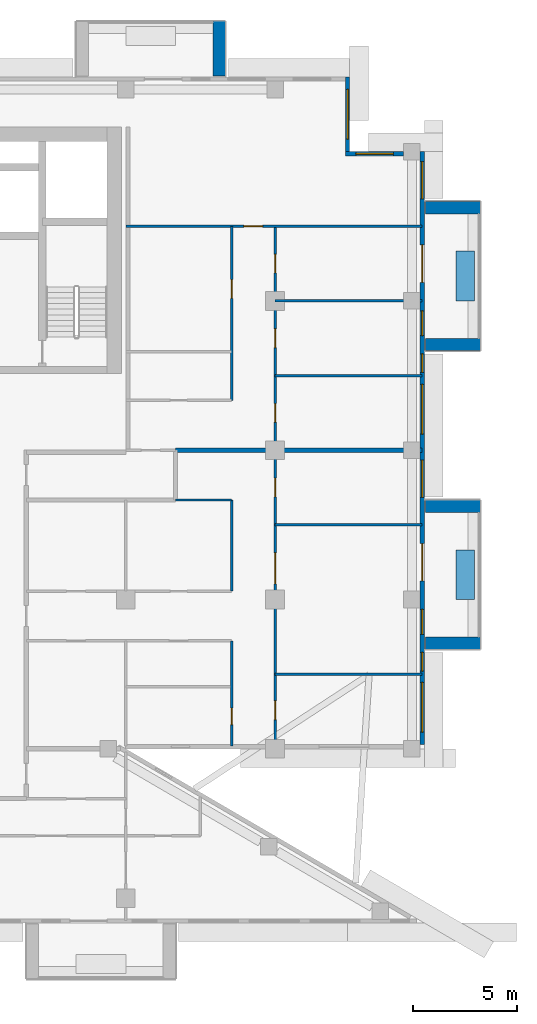
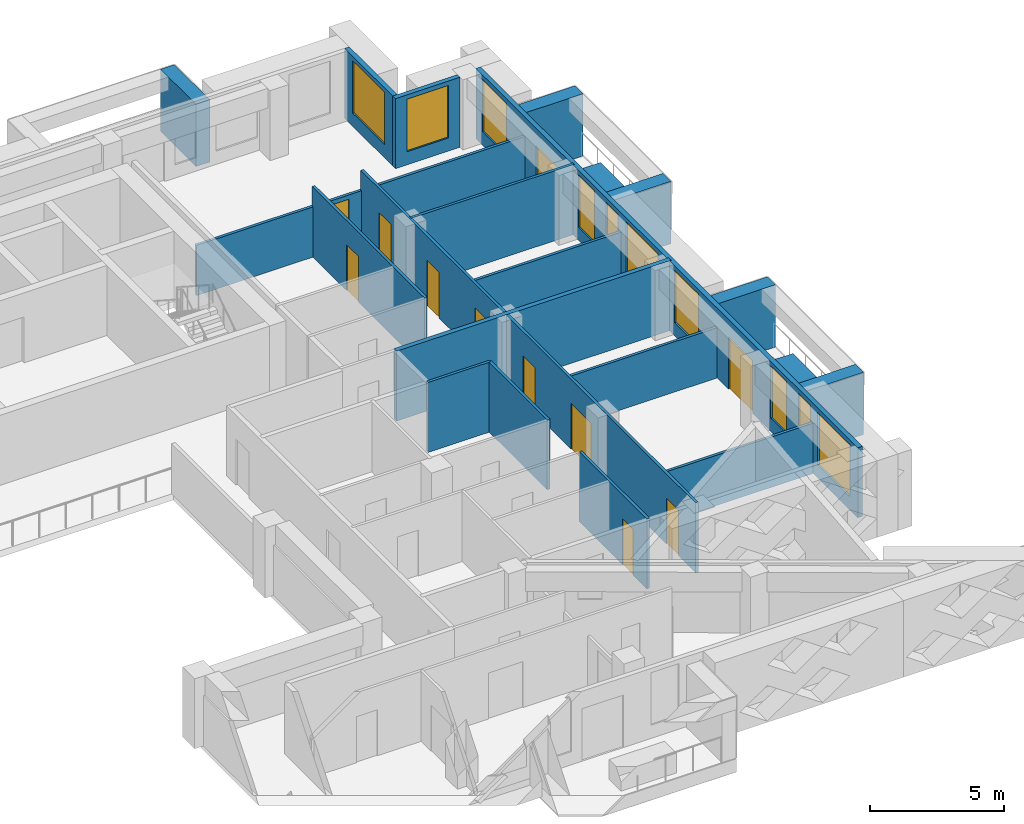
# One storey, part 12 of 20: 21 walls, 11 doors, 10 windows, 21 openings.
"""IFC4 building model written with IfcOpenShell, lengths in metres."""

from ifc_helpers import new_model, si_unit, direction, frame, frame_2d, origin, place, context, subcontext, project, spatial, rectangle, extrude, material, layer, layer_set, type_object, element, fill, save


model = new_model("IFC4")

# Units and contexts
model_context = context("Model", 3, precision=1e-05, world=origin(), true_north=direction((0.0, 1.0)))
body_context = subcontext(model_context, "Body", "Model", "MODEL_VIEW")
ifc_project = project(units=[si_unit("LENGTHUNIT", "METRE"), si_unit("AREAUNIT", "SQUARE_METRE"), si_unit("VOLUMEUNIT", "CUBIC_METRE"), si_unit("PLANEANGLEUNIT", "RADIAN"), si_unit("MASSUNIT", "GRAM", prefix="KILO")], contexts=[model_context])

# Site, building, storey
site_placement = place(None, origin())
site = spatial("IfcSite", under=ifc_project, at=site_placement, CompositionType="ELEMENT")
building_placement = place(site_placement, origin())
building = spatial("IfcBuilding", under=site, at=building_placement, Name="Saffron Iwan Residences", CompositionType="ELEMENT")
storey_placement = place(building_placement, frame((0.0, 0.0, 185.0)))
storey = spatial("IfcBuildingStorey", under=building, at=storey_placement, Name="L49", CompositionType="ELEMENT", Elevation=185.0)

# Walls
ifc_material_1 = material(Name="Concrete C50/60 white painted", Category="concrete")
ifc_layer_1 = layer(ifc_material_1, 0.60009765625)
ifc_layer_set_1 = layer_set([ifc_layer_1], Name="Concrete C50/60 white painted")
wall_type_1 = type_object("IfcWallType", Name="BALCONY FIN 600", PredefinedType="SOLIDWALL", material=ifc_layer_set_1)
for number, where, z_axis, x_axis, name in (
    (1, (86.449951171875, 53.10009765625, 0.0), (0.0, 0.0, 1.0), (1.0, 0.0, 0.0), "Balcony fin L49 F2-0a"),
    (2, (86.449951171875, 59.699951171875, 0.0), (0.0, 0.0, 1.0), (1.0, 0.0, 0.0), "Balcony fin L49 F2-0b"),
    (3, (86.449951171875, 67.5, 0.0), (0.0, 0.0, 1.0), (1.0, 0.0, 0.0), "Balcony fin L49 F2-1a"),
    (4, (86.449951171875, 74.10009765625, 0.0), (0.0, 0.0, 1.0), (1.0, 0.0, 0.0), "Balcony fin L49 F2-1b"),
    (5, (76.5, 80.449951171875, 0.0), (0.0, 0.0, 1.0), (0.0, 1.0, 0.0), "Balcony fin L49 F5-0a"),
):
    element("IfcWall", number, at=place(storey_placement, frame(where, z_axis=z_axis, x_axis=x_axis)), inside=storey, type_object=wall_type_1, Name=name, PredefinedType="SOLIDWALL", context=body_context, shape_type="SweptSolid", body=[
        extrude(rectangle(XDim=2.650146484375, YDim=0.60009765625, at=frame_2d((1.3251953125, 0.0))), origin(), (0.0, 0.0, 1.0), 2.85009765625),
    ])
ifc_material_2 = material(Name="Concrete C35/45 white painted", Category="concrete")
ifc_layer_2 = layer(ifc_material_2, 0.14990234375)
ifc_layer_set_2 = layer_set([ifc_layer_2], Name="Concrete C35/45 white painted")
wall_type_2 = type_object("IfcWallType", Name="BALCONY PLANTER", PredefinedType="SOLIDWALL", material=ifc_layer_set_2)
wall_1_placement = place(storey_placement, frame((88.375, 55.199951171875, 0.0), z_axis=(0.0, 0.0, 1.0), x_axis=(0.0, 1.0, 0.0)))
element("IfcWall", 6, at=wall_1_placement, inside=storey, type_object=wall_type_2, Name="PLANTER L49 F2-0", PredefinedType="SOLIDWALL", context=body_context, shape_type="SweptSolid", body=[
    extrude(rectangle(XDim=2.400146484375, YDim=0.89990234375, at=frame_2d((1.2001953125, 0.0))), origin(), (0.0, 0.0, 1.0), 0.89990234375),
])
wall_2_placement = place(storey_placement, frame((88.375, 69.60009765625, 0.0), z_axis=(0.0, 0.0, 1.0), x_axis=(0.0, 1.0, 0.0)))
element("IfcWall", 7, at=wall_2_placement, inside=storey, type_object=wall_type_2, Name="PLANTER L49 F2-1", PredefinedType="SOLIDWALL", context=body_context, shape_type="SweptSolid", body=[
    extrude(rectangle(XDim=2.39990234375, YDim=0.89990234375, at=frame_2d((1.199951171875, 0.0))), origin(), (0.0, 0.0, 1.0), 0.89990234375),
])

# Wall, openings, doors, windows
ifc_material_3 = material(Name="Concrete C40/50", Category="concrete")
ifc_layer_3 = layer(ifc_material_3, 0.199951171875)
ifc_layer_set_3 = layer_set([ifc_layer_3], Name="Concrete C40/50")
wall_type_3 = type_object("IfcWallType", Name="EXTERNAL WALL 200", PredefinedType="SOLIDWALL", material=ifc_layer_set_3)
wall_3_placement = place(storey_placement, frame((86.300048828125, 48.199951171875, 0.0), z_axis=(0.0, 0.0, 1.0), x_axis=(0.0, 1.0, 0.0)))
wall_3 = element("IfcWall", 8, at=wall_3_placement, inside=storey, type_object=wall_type_3, Name="External wall L49 F2.0", PredefinedType="SOLIDWALL", context=body_context, shape_type="SweptSolid", body=[
    extrude(rectangle(XDim=28.60009765625, YDim=0.199951171875, at=frame_2d((14.300048828125, 0.0))), origin(), (0.0, 0.0, 1.0), 3.199951171875),
])
opening_1_placement = place(wall_3_placement, frame((7.89990234375, 0.0, 0.0)))
opening_1 = element("IfcOpeningElement", 9, at=opening_1_placement, cuts=wall_3, Name="Opening BD1", PredefinedType="OPENING", context=body_context, shape_type="SweptSolid", body=[
    extrude(rectangle(XDim=1.800048828125, YDim=2.39990234375, at=frame_2d((0.89990234375, 1.199951171875))), frame((0.0, 0.10986328125, 0.0), z_axis=(0.0, -1.0, 0.0), x_axis=(1.0, 0.0, 0.0)), (0.0, 0.0, 1.0), 0.219970703125),
])
opening_2_placement = place(wall_3_placement, frame((22.300048828125, 0.0, 0.0)))
opening_2 = element("IfcOpeningElement", 10, at=opening_2_placement, cuts=wall_3, Name="Opening BD1", PredefinedType="OPENING", context=body_context, shape_type="SweptSolid", body=[
    extrude(rectangle(XDim=1.800048828125, YDim=2.39990234375, at=frame_2d((0.89990234375, 1.199951171875))), frame((0.0, 0.10986328125, 0.0), z_axis=(0.0, -1.0, 0.0), x_axis=(1.0, 0.0, 0.0)), (0.0, 0.0, 1.0), 0.219970703125),
])
opening_3_placement = place(wall_3_placement, frame((0.60009765625, 0.0, 0.60009765625)))
opening_3 = element("IfcOpeningElement", 11, at=opening_3_placement, cuts=wall_3, Name="Opening W1", PredefinedType="OPENING", context=body_context, shape_type="SweptSolid", body=[
    extrude(rectangle(XDim=2.39990234375, YDim=2.39990234375, at=frame_2d((1.199951171875, 1.199951171875))), frame((0.0, 0.10986328125, 0.0), z_axis=(0.0, -1.0, 0.0), x_axis=(1.0, 0.0, 0.0)), (0.0, 0.0, 1.0), 0.219970703125),
])
opening_4_placement = place(wall_3_placement, frame((3.550048828125, 0.0, 0.60009765625)))
opening_4 = element("IfcOpeningElement", 12, at=opening_4_placement, cuts=wall_3, Name="Opening W10", PredefinedType="OPENING", context=body_context, shape_type="SweptSolid", body=[
    extrude(rectangle(XDim=0.89990234375, YDim=2.39990234375, at=frame_2d((0.449951171875, 1.199951171875))), frame((0.0, 0.10986328125, 0.0), z_axis=(0.0, -1.0, 0.0), x_axis=(1.0, 0.0, 0.0)), (0.0, 0.0, 1.0), 0.219970703125),
])
opening_5_placement = place(wall_3_placement, frame((5.324951171875, 0.0, 0.60009765625)))
opening_5 = element("IfcOpeningElement", 13, at=opening_5_placement, cuts=wall_3, Name="Opening W3", PredefinedType="OPENING", context=body_context, shape_type="SweptSolid", body=[
    extrude(rectangle(XDim=1.199951171875, YDim=2.39990234375, at=frame_2d((0.60009765625, 1.199951171875))), frame((0.0, 0.10986328125, 0.0), z_axis=(0.0, -1.0, 0.0), x_axis=(1.0, 0.0, 0.0)), (0.0, 0.0, 1.0), 0.219970703125),
])
opening_6_placement = place(wall_3_placement, frame((11.925048828125, 0.0, 0.60009765625)))
opening_6 = element("IfcOpeningElement", 14, at=opening_6_placement, cuts=wall_3, Name="Opening W8", PredefinedType="OPENING", context=body_context, shape_type="SweptSolid", body=[
    extrude(rectangle(XDim=1.800048828125, YDim=2.39990234375, at=frame_2d((0.89990234375, 1.199951171875))), frame((0.0, 0.10986328125, 0.0), z_axis=(0.0, -1.0, 0.0), x_axis=(1.0, 0.0, 0.0)), (0.0, 0.0, 1.0), 0.219970703125),
])
opening_7_placement = place(wall_3_placement, frame((14.97509765625, 0.0, 0.60009765625)))
opening_7 = element("IfcOpeningElement", 15, at=opening_7_placement, cuts=wall_3, Name="Opening W1", PredefinedType="OPENING", context=body_context, shape_type="SweptSolid", body=[
    extrude(rectangle(XDim=2.39990234375, YDim=2.39990234375, at=frame_2d((1.199951171875, 1.199951171875))), frame((0.0, 0.10986328125, 0.0), z_axis=(0.0, -1.0, 0.0), x_axis=(1.0, 0.0, 0.0)), (0.0, 0.0, 1.0), 0.219970703125),
])
opening_8_placement = place(wall_3_placement, frame((17.949951171875, 0.0, 0.60009765625)))
opening_8 = element("IfcOpeningElement", 16, at=opening_8_placement, cuts=wall_3, Name="Opening W10", PredefinedType="OPENING", context=body_context, shape_type="SweptSolid", body=[
    extrude(rectangle(XDim=0.89990234375, YDim=2.39990234375, at=frame_2d((0.449951171875, 1.199951171875))), frame((0.0, 0.10986328125, 0.0), z_axis=(0.0, -1.0, 0.0), x_axis=(1.0, 0.0, 0.0)), (0.0, 0.0, 1.0), 0.219970703125),
])
opening_9_placement = place(wall_3_placement, frame((19.72509765625, 0.0, 0.60009765625)))
opening_9 = element("IfcOpeningElement", 17, at=opening_9_placement, cuts=wall_3, Name="Opening W3", PredefinedType="OPENING", context=body_context, shape_type="SweptSolid", body=[
    extrude(rectangle(XDim=1.199951171875, YDim=2.39990234375, at=frame_2d((0.60009765625, 1.199951171875))), frame((0.0, 0.10986328125, 0.0), z_axis=(0.0, -1.0, 0.0), x_axis=(1.0, 0.0, 0.0)), (0.0, 0.0, 1.0), 0.219970703125),
])
opening_10_placement = place(wall_3_placement, frame((26.324951171875, 0.0, 0.60009765625)))
opening_10 = element("IfcOpeningElement", 18, at=opening_10_placement, cuts=wall_3, Name="Opening W8", PredefinedType="OPENING", context=body_context, shape_type="SweptSolid", body=[
    extrude(rectangle(XDim=1.800048828125, YDim=2.39990234375, at=frame_2d((0.89990234375, 1.199951171875))), frame((0.0, 0.10986328125, 0.0), z_axis=(0.0, -1.0, 0.0), x_axis=(1.0, 0.0, 0.0)), (0.0, 0.0, 1.0), 0.219970703125),
])
ifc_material_4 = material(Name="Clear glass, laminated double glazed", Category="glass")
door_type_1 = type_object("IfcDoorType", Name="BALCONY DOOR 1800 x 2400", OperationType="DOUBLE_DOOR_SLIDING", PredefinedType="DOOR", material=ifc_material_4)
door_1_placement = place(opening_1_placement, origin())
door_1 = element("IfcDoor", 19, at=door_1_placement, inside=storey, type_object=door_type_1, Name="Balcony door L49 F2.0", OperationType="DOUBLE_DOOR_SLIDING", OverallHeight=2.39990234375, OverallWidth=1.800048828125, PredefinedType="DOOR", context=body_context, shape_type="SweptSolid", body=[
    extrude(rectangle(XDim=1.800048828125, YDim=2.39990234375, at=frame_2d((0.89990234375, 1.199951171875))), frame((0.0, 0.02490234375, 0.0), z_axis=(0.0, -1.0, 0.0), x_axis=(1.0, 0.0, 0.0)), (0.0, 0.0, 1.0), 0.050048828125),
])
fill(opening_1, door_1)
door_2_placement = place(opening_2_placement, origin())
door_2 = element("IfcDoor", 20, at=door_2_placement, inside=storey, type_object=door_type_1, Name="Balcony door L49 F2.1", OperationType="DOUBLE_DOOR_SLIDING", OverallHeight=2.39990234375, OverallWidth=1.800048828125, PredefinedType="DOOR", context=body_context, shape_type="SweptSolid", body=[
    extrude(rectangle(XDim=1.800048828125, YDim=2.39990234375, at=frame_2d((0.89990234375, 1.199951171875))), frame((0.0, 0.02490234375, 0.0), z_axis=(0.0, -1.0, 0.0), x_axis=(1.0, 0.0, 0.0)), (0.0, 0.0, 1.0), 0.050048828125),
])
fill(opening_2, door_2)
window_type_1 = type_object("IfcWindowType", Name="WINDOW 1200 x 2400", PartitioningType="SINGLE_PANEL", PredefinedType="WINDOW", material=ifc_material_4)
window_1_placement = place(opening_5_placement, origin())
window_1 = element("IfcWindow", 21, at=window_1_placement, inside=storey, type_object=window_type_1, Name="Window L49 F2.4", OverallHeight=2.39990234375, OverallWidth=1.199951171875, PartitioningType="SINGLE_PANEL", PredefinedType="WINDOW", context=body_context, shape_type="SweptSolid", body=[
    extrude(rectangle(XDim=1.199951171875, YDim=2.39990234375, at=frame_2d((0.60009765625, 1.199951171875))), frame((0.0, 0.030029296875, 0.0), z_axis=(0.0, -1.0, 0.0), x_axis=(1.0, 0.0, 0.0)), (0.0, 0.0, 1.0), 0.06005859375),
])
fill(opening_5, window_1)
window_2_placement = place(opening_9_placement, origin())
window_2 = element("IfcWindow", 22, at=window_2_placement, inside=storey, type_object=window_type_1, Name="Window L49 F2.8", OverallHeight=2.39990234375, OverallWidth=1.199951171875, PartitioningType="SINGLE_PANEL", PredefinedType="WINDOW", context=body_context, shape_type="SweptSolid", body=[
    extrude(rectangle(XDim=1.199951171875, YDim=2.39990234375, at=frame_2d((0.60009765625, 1.199951171875))), frame((0.0, 0.030029296875, 0.0), z_axis=(0.0, -1.0, 0.0), x_axis=(1.0, 0.0, 0.0)), (0.0, 0.0, 1.0), 0.06005859375),
])
fill(opening_9, window_2)
window_type_2 = type_object("IfcWindowType", Name="WINDOW 1800 x 2400", PartitioningType="DOUBLE_PANEL_VERTICAL", PredefinedType="WINDOW", material=ifc_material_4)
window_3_placement = place(opening_6_placement, origin())
window_3 = element("IfcWindow", 23, at=window_3_placement, inside=storey, type_object=window_type_2, Name="Window L49 F2.5", OverallHeight=2.39990234375, OverallWidth=1.800048828125, PartitioningType="DOUBLE_PANEL_VERTICAL", PredefinedType="WINDOW", context=body_context, shape_type="SweptSolid", body=[
    extrude(rectangle(XDim=1.800048828125, YDim=2.39990234375, at=frame_2d((0.89990234375, 1.199951171875))), frame((0.0, 0.030029296875, 0.0), z_axis=(0.0, -1.0, 0.0), x_axis=(1.0, 0.0, 0.0)), (0.0, 0.0, 1.0), 0.06005859375),
])
fill(opening_6, window_3)
window_4_placement = place(opening_10_placement, origin())
window_4 = element("IfcWindow", 24, at=window_4_placement, inside=storey, type_object=window_type_2, Name="Window L49 F2.9", OverallHeight=2.39990234375, OverallWidth=1.800048828125, PartitioningType="DOUBLE_PANEL_VERTICAL", PredefinedType="WINDOW", context=body_context, shape_type="SweptSolid", body=[
    extrude(rectangle(XDim=1.800048828125, YDim=2.39990234375, at=frame_2d((0.89990234375, 1.199951171875))), frame((0.0, 0.030029296875, 0.0), z_axis=(0.0, -1.0, 0.0), x_axis=(1.0, 0.0, 0.0)), (0.0, 0.0, 1.0), 0.06005859375),
])
fill(opening_10, window_4)
window_type_3 = type_object("IfcWindowType", Name="WINDOW 2400 x 2400", PartitioningType="DOUBLE_PANEL_VERTICAL", PredefinedType="WINDOW", material=ifc_material_4)
window_5_placement = place(opening_3_placement, origin())
window_5 = element("IfcWindow", 25, at=window_5_placement, inside=storey, type_object=window_type_3, Name="Window L49 F2.2", OverallHeight=2.39990234375, OverallWidth=2.39990234375, PartitioningType="DOUBLE_PANEL_VERTICAL", PredefinedType="WINDOW", context=body_context, shape_type="SweptSolid", body=[
    extrude(rectangle(XDim=2.39990234375, YDim=2.39990234375, at=frame_2d((1.199951171875, 1.199951171875))), frame((0.0, 0.030029296875, 0.0), z_axis=(0.0, -1.0, 0.0), x_axis=(1.0, 0.0, 0.0)), (0.0, 0.0, 1.0), 0.06005859375),
])
fill(opening_3, window_5)
window_6_placement = place(opening_7_placement, origin())
window_6 = element("IfcWindow", 26, at=window_6_placement, inside=storey, type_object=window_type_3, Name="Window L49 F2.6", OverallHeight=2.39990234375, OverallWidth=2.39990234375, PartitioningType="DOUBLE_PANEL_VERTICAL", PredefinedType="WINDOW", context=body_context, shape_type="SweptSolid", body=[
    extrude(rectangle(XDim=2.39990234375, YDim=2.39990234375, at=frame_2d((1.199951171875, 1.199951171875))), frame((0.0, 0.030029296875, 0.0), z_axis=(0.0, -1.0, 0.0), x_axis=(1.0, 0.0, 0.0)), (0.0, 0.0, 1.0), 0.06005859375),
])
fill(opening_7, window_6)
window_type_4 = type_object("IfcWindowType", Name="WINDOW 900 x 2400", PartitioningType="SINGLE_PANEL", PredefinedType="WINDOW", material=ifc_material_4)
window_7_placement = place(opening_4_placement, origin())
window_7 = element("IfcWindow", 27, at=window_7_placement, inside=storey, type_object=window_type_4, Name="Window L49 F2.3", OverallHeight=2.39990234375, OverallWidth=0.89990234375, PartitioningType="SINGLE_PANEL", PredefinedType="WINDOW", context=body_context, shape_type="SweptSolid", body=[
    extrude(rectangle(XDim=0.89990234375, YDim=2.39990234375, at=frame_2d((0.449951171875, 1.199951171875))), frame((0.0, 0.030029296875, 0.0), z_axis=(0.0, -1.0, 0.0), x_axis=(1.0, 0.0, 0.0)), (0.0, 0.0, 1.0), 0.06005859375),
])
fill(opening_4, window_7)
window_8_placement = place(opening_8_placement, origin())
window_8 = element("IfcWindow", 28, at=window_8_placement, inside=storey, type_object=window_type_4, Name="Window L49 F2.7", OverallHeight=2.39990234375, OverallWidth=0.89990234375, PartitioningType="SINGLE_PANEL", PredefinedType="WINDOW", context=body_context, shape_type="SweptSolid", body=[
    extrude(rectangle(XDim=0.89990234375, YDim=2.39990234375, at=frame_2d((0.449951171875, 1.199951171875))), frame((0.0, 0.030029296875, 0.0), z_axis=(0.0, -1.0, 0.0), x_axis=(1.0, 0.0, 0.0)), (0.0, 0.0, 1.0), 0.06005859375),
])
fill(opening_8, window_8)

# Wall, opening, window
wall_4_placement = place(storey_placement, frame((85.39990234375, 76.699951171875, 0.0), z_axis=(0.0, 0.0, 1.0), x_axis=(-1.0, 0.0, 0.0)))
wall_4 = element("IfcWall", 29, at=wall_4_placement, inside=storey, type_object=wall_type_3, Name="External wall L49 F3.0", PredefinedType="SOLIDWALL", context=body_context, shape_type="SweptSolid", body=[
    extrude(rectangle(XDim=2.7998046875, YDim=0.199951171875, at=frame_2d((1.39990234375, 0.0))), origin(), (0.0, 0.0, 1.0), 3.199951171875),
])
opening_11_placement = place(wall_4_placement, frame((0.5, 0.0, 0.60009765625)))
opening_11 = element("IfcOpeningElement", 30, at=opening_11_placement, cuts=wall_4, Name="Opening W8", PredefinedType="OPENING", context=body_context, shape_type="SweptSolid", body=[
    extrude(rectangle(XDim=1.800048828125, YDim=2.39990234375, at=frame_2d((0.89990234375, 1.199951171875))), frame((0.0, 0.10986328125, 0.0), z_axis=(0.0, -1.0, 0.0), x_axis=(1.0, 0.0, 0.0)), (0.0, 0.0, 1.0), 0.219970703125),
])
window_9_placement = place(opening_11_placement, origin())
window_9 = element("IfcWindow", 31, at=window_9_placement, inside=storey, type_object=window_type_2, Name="Window L49 F3.0", OverallHeight=2.39990234375, OverallWidth=1.800048828125, PartitioningType="DOUBLE_PANEL_VERTICAL", PredefinedType="WINDOW", context=body_context, shape_type="SweptSolid", body=[
    extrude(rectangle(XDim=1.800048828125, YDim=2.39990234375, at=frame_2d((0.89990234375, 1.199951171875))), frame((0.0, 0.030029296875, 0.0), z_axis=(0.0, -1.0, 0.0), x_axis=(1.0, 0.0, 0.0)), (0.0, 0.0, 1.0), 0.06005859375),
])
fill(opening_11, window_9)

wall_5_placement = place(storey_placement, frame((82.699951171875, 76.800048828125, 0.0), z_axis=(0.0, 0.0, 1.0), x_axis=(0.0, 1.0, 0.0)))
wall_5 = element("IfcWall", 32, at=wall_5_placement, inside=storey, type_object=wall_type_3, Name="External wall L49 F4.0", PredefinedType="SOLIDWALL", context=body_context, shape_type="SweptSolid", body=[
    extrude(rectangle(XDim=3.599853515625, YDim=0.199951171875, at=frame_2d((1.7998046875, 0.0))), origin(), (0.0, 0.0, 1.0), 3.199951171875),
])
opening_12_placement = place(wall_5_placement, frame((0.60009765625, 0.0, 0.60009765625)))
opening_12 = element("IfcOpeningElement", 33, at=opening_12_placement, cuts=wall_5, Name="Opening W1", PredefinedType="OPENING", context=body_context, shape_type="SweptSolid", body=[
    extrude(rectangle(XDim=2.39990234375, YDim=2.39990234375, at=frame_2d((1.199951171875, 1.199951171875))), frame((0.0, 0.10986328125, 0.0), z_axis=(0.0, -1.0, 0.0), x_axis=(1.0, 0.0, 0.0)), (0.0, 0.0, 1.0), 0.219970703125),
])
window_10_placement = place(opening_12_placement, origin())
window_10 = element("IfcWindow", 34, at=window_10_placement, inside=storey, type_object=window_type_3, Name="Window L49 F4.0", OverallHeight=2.39990234375, OverallWidth=2.39990234375, PartitioningType="DOUBLE_PANEL_VERTICAL", PredefinedType="WINDOW", context=body_context, shape_type="SweptSolid", body=[
    extrude(rectangle(XDim=2.39990234375, YDim=2.39990234375, at=frame_2d((1.199951171875, 1.199951171875))), frame((0.0, 0.030029296875, 0.0), z_axis=(0.0, -1.0, 0.0), x_axis=(1.0, 0.0, 0.0)), (0.0, 0.0, 1.0), 0.06005859375),
])
fill(opening_12, window_10)

# Walls
ifc_material_5 = material(Name="Fire-rated gypsum board wall")
ifc_layer_4 = layer(ifc_material_5, 0.199951171875)
ifc_layer_set_4 = layer_set([ifc_layer_4], Name="Fire-rated gypsum board wall")
wall_type_4 = type_object("IfcWallType", Name="Flat demising wall 200", PredefinedType="SOLIDWALL", material=ifc_layer_set_4)
wall_6_placement = place(storey_placement, frame((74.39990234375, 62.39990234375, 0.0), z_axis=(0.0, 0.0, 1.0), x_axis=(1.0, 0.0, 0.0)))
element("IfcWall", 35, at=wall_6_placement, inside=storey, type_object=wall_type_4, Name="W-L49-DEMISE-h62.4-74.4", PredefinedType="SOLIDWALL", context=body_context, shape_type="SweptSolid", body=[
    extrude(rectangle(XDim=11.875, YDim=0.199951171875, at=frame_2d((5.9375, 0.0))), origin(), (0.0, 0.0, 1.0), 3.199951171875),
])
ifc_material_6 = material(Name="Gypsum board partition")
ifc_layer_5 = layer(ifc_material_6, 0.1201171875)
ifc_layer_set_5 = layer_set([ifc_layer_5], Name="Gypsum board partition")
wall_type_5 = type_object("IfcWallType", Name="Flat partition 120", PredefinedType="PARTITIONING", material=ifc_layer_set_5)
for number, where, z_axis, x_axis, name in (
    (36, (79.199951171875, 51.60009765625, 0.0), (0.0, 0.0, 1.0), (1.0, 0.0, 0.0), "W-L49-PART-h51.6-79.2"),
    (37, (79.199951171875, 58.800048828125, 0.0), (0.0, 0.0, 1.0), (1.0, 0.0, 0.0), "W-L49-PART-h58.8-79.2"),
):
    element("IfcWall", number, at=place(storey_placement, frame(where, z_axis=z_axis, x_axis=x_axis)), inside=storey, type_object=wall_type_5, Name=name, PredefinedType="PARTITIONING", context=body_context, shape_type="SweptSolid", body=[
        extrude(rectangle(XDim=7.074951171875, YDim=0.1201171875, at=frame_2d((3.53759765625, 0.0))), origin(), (0.0, 0.0, 1.0), 2.300048828125),
    ])
wall_7_placement = place(storey_placement, frame((74.39990234375, 60.0, 0.0), z_axis=(0.0, 0.0, 1.0), x_axis=(1.0, 0.0, 0.0)))
element("IfcWall", 38, at=wall_7_placement, inside=storey, type_object=wall_type_5, Name="W-L49-PART-h60-74.4", PredefinedType="PARTITIONING", context=body_context, shape_type="SweptSolid", body=[
    extrude(rectangle(XDim=2.7001953125, YDim=0.1201171875, at=frame_2d((1.35009765625, 0.0))), origin(), (0.0, 0.0, 1.0), 3.199951171875),
])
wall_8_placement = place(storey_placement, frame((79.199951171875, 66.0, 0.0), z_axis=(0.0, 0.0, 1.0), x_axis=(1.0, 0.0, 0.0)))
element("IfcWall", 39, at=wall_8_placement, inside=storey, type_object=wall_type_5, Name="W-L49-PART-h66-79.2", PredefinedType="PARTITIONING", context=body_context, shape_type="SweptSolid", body=[
    extrude(rectangle(XDim=7.074951171875, YDim=0.1201171875, at=frame_2d((3.53759765625, 0.0))), origin(), (0.0, 0.0, 1.0), 2.300048828125),
])
wall_9_placement = place(storey_placement, frame((79.199951171875, 69.60009765625, 0.0), z_axis=(0.0, 0.0, 1.0), x_axis=(1.0, 0.0, 0.0)))
element("IfcWall", 40, at=wall_9_placement, inside=storey, type_object=wall_type_5, Name="W-L49-PART-h69.6-79.2", PredefinedType="PARTITIONING", context=body_context, shape_type="SweptSolid", body=[
    extrude(rectangle(XDim=7.074951171875, YDim=0.1201171875, at=frame_2d((3.53759765625, 0.0))), origin(), (0.0, 0.0, 1.0), 3.199951171875),
])

# Wall, opening, door
wall_10_placement = place(storey_placement, frame((72.0, 73.199951171875, 0.0), z_axis=(0.0, 0.0, 1.0), x_axis=(1.0, 0.0, 0.0)))
wall_10 = element("IfcWall", 41, at=wall_10_placement, inside=storey, type_object=wall_type_5, Name="W-L49-PART-h73.2-72", PredefinedType="PARTITIONING", context=body_context, shape_type="SweptSolid", body=[
    extrude(rectangle(XDim=14.27490234375, YDim=0.1201171875, at=frame_2d((7.137451171875, 0.0))), origin(), (0.0, 0.0, 1.0), 2.300048828125),
])
opening_13_placement = place(wall_10_placement, frame((5.699951171875, 0.0, 0.0)))
opening_13 = element("IfcOpeningElement", 42, at=opening_13_placement, cuts=wall_10, Name="Opening FD2", PredefinedType="OPENING", context=body_context, shape_type="SweptSolid", body=[
    extrude(rectangle(XDim=0.89990234375, YDim=2.10009765625, at=frame_2d((0.449951171875, 1.050048828125))), frame((0.0, 0.070068359375, 0.0), z_axis=(0.0, -1.0, 0.0), x_axis=(1.0, 0.0, 0.0)), (0.0, 0.0, 1.0), 0.14013671875),
])
ifc_material_7 = material(Name="Timber door", Category="wood")
door_type_2 = type_object("IfcDoorType", Name="Flat door 900", OperationType="NOTDEFINED", PredefinedType="DOOR", material=ifc_material_7)
door_3_placement = place(opening_13_placement, origin())
door_3 = element("IfcDoor", 43, at=door_3_placement, inside=storey, type_object=door_type_2, Name="Door L49-039", OperationType="SINGLE_SWING_RIGHT", OverallHeight=2.10009765625, OverallWidth=0.89990234375, PredefinedType="DOOR", context=body_context, shape_type="SweptSolid", body=[
    extrude(rectangle(XDim=0.89990234375, YDim=2.10009765625, at=frame_2d((0.449951171875, 1.050048828125))), frame((0.0, 0.02490234375, 0.0), z_axis=(0.0, -1.0, 0.0), x_axis=(1.0, 0.0, 0.0)), (0.0, 0.0, 1.0), 0.050048828125),
])
fill(opening_13, door_3)

wall_11_placement = place(storey_placement, frame((77.10009765625, 48.125, 0.0), z_axis=(0.0, 0.0, 1.0), x_axis=(0.0, 1.0, 0.0)))
wall_11 = element("IfcWall", 44, at=wall_11_placement, inside=storey, type_object=wall_type_5, Name="W-L49-PART-v77.1-48.125", PredefinedType="PARTITIONING", context=body_context, shape_type="SweptSolid", body=[
    extrude(rectangle(XDim=5.074951171875, YDim=0.1201171875, at=frame_2d((2.53759765625, 0.0))), origin(), (0.0, 0.0, 1.0), 3.199951171875),
])
opening_14_placement = place(wall_11_placement, frame((1.03759765625, 0.0, 0.0)))
opening_14 = element("IfcOpeningElement", 45, at=opening_14_placement, cuts=wall_11, Name="Opening FD3", PredefinedType="OPENING", context=body_context, shape_type="SweptSolid", body=[
    extrude(rectangle(XDim=0.800048828125, YDim=2.10009765625, at=frame_2d((0.39990234375, 1.050048828125))), frame((0.0, 0.070068359375, 0.0), z_axis=(0.0, -1.0, 0.0), x_axis=(1.0, 0.0, 0.0)), (0.0, 0.0, 1.0), 0.14013671875),
])
door_type_3 = type_object("IfcDoorType", Name="Bathroom door 800", OperationType="NOTDEFINED", PredefinedType="DOOR", material=ifc_material_7)
door_4_placement = place(opening_14_placement, origin())
door_4 = element("IfcDoor", 46, at=door_4_placement, inside=storey, type_object=door_type_3, Name="Door L49-019", OperationType="SINGLE_SWING_LEFT", OverallHeight=2.10009765625, OverallWidth=0.800048828125, PredefinedType="DOOR", context=body_context, shape_type="SweptSolid", body=[
    extrude(rectangle(XDim=0.800048828125, YDim=2.10009765625, at=frame_2d((0.39990234375, 1.050048828125))), frame((0.0, 0.02490234375, 0.0), z_axis=(0.0, -1.0, 0.0), x_axis=(1.0, 0.0, 0.0)), (0.0, 0.0, 1.0), 0.050048828125),
])
fill(opening_14, door_4)

# Wall
wall_12_placement = place(storey_placement, frame((77.10009765625, 55.60009765625, 0.0), z_axis=(0.0, 0.0, 1.0), x_axis=(0.0, 1.0, 0.0)))
element("IfcWall", 47, at=wall_12_placement, inside=storey, type_object=wall_type_5, Name="W-L49-PART-v77.1-55.6", PredefinedType="PARTITIONING", context=body_context, shape_type="SweptSolid", body=[
    extrude(rectangle(XDim=4.39990234375, YDim=0.1201171875, at=frame_2d((2.199951171875, 0.0))), origin(), (0.0, 0.0, 1.0), 3.199951171875),
])

# Wall, opening, door
wall_13_placement = place(storey_placement, frame((77.10009765625, 64.800048828125, 0.0), z_axis=(0.0, 0.0, 1.0), x_axis=(0.0, 1.0, 0.0)))
wall_13 = element("IfcWall", 48, at=wall_13_placement, inside=storey, type_object=wall_type_5, Name="W-L49-PART-v77.1-64.8", PredefinedType="PARTITIONING", context=body_context, shape_type="SweptSolid", body=[
    extrude(rectangle(XDim=8.39990234375, YDim=0.1201171875, at=frame_2d((4.199951171875, 0.0))), origin(), (0.0, 0.0, 1.0), 3.199951171875),
])
opening_15_placement = place(wall_13_placement, frame((4.925048828125, 0.0, 0.0)))
opening_15 = element("IfcOpeningElement", 49, at=opening_15_placement, cuts=wall_13, Name="Opening FD2", PredefinedType="OPENING", context=body_context, shape_type="SweptSolid", body=[
    extrude(rectangle(XDim=0.89990234375, YDim=2.10009765625, at=frame_2d((0.449951171875, 1.050048828125))), frame((0.0, 0.070068359375, 0.0), z_axis=(0.0, -1.0, 0.0), x_axis=(1.0, 0.0, 0.0)), (0.0, 0.0, 1.0), 0.14013671875),
])
door_5_placement = place(opening_15_placement, origin())
door_5 = element("IfcDoor", 50, at=door_5_placement, inside=storey, type_object=door_type_2, Name="Door L49-041", OperationType="SINGLE_SWING_LEFT", OverallHeight=2.10009765625, OverallWidth=0.89990234375, PredefinedType="DOOR", context=body_context, shape_type="SweptSolid", body=[
    extrude(rectangle(XDim=0.89990234375, YDim=2.10009765625, at=frame_2d((0.449951171875, 1.050048828125))), frame((0.0, 0.02490234375, 0.0), z_axis=(0.0, -1.0, 0.0), x_axis=(1.0, 0.0, 0.0)), (0.0, 0.0, 1.0), 0.050048828125),
])
fill(opening_15, door_5)

# Wall, openings, doors
wall_14_placement = place(storey_placement, frame((79.199951171875, 48.125, 0.0), z_axis=(0.0, 0.0, 1.0), x_axis=(0.0, 1.0, 0.0)))
wall_14 = element("IfcWall", 51, at=wall_14_placement, inside=storey, type_object=wall_type_5, Name="W-L49-PART-v79.2-48.125", PredefinedType="PARTITIONING", context=body_context, shape_type="SweptSolid", body=[
    extrude(rectangle(XDim=25.074951171875, YDim=0.1201171875, at=frame_2d((12.53759765625, 0.0))), origin(), (0.0, 0.0, 1.0), 3.199951171875),
])
opening_16_placement = place(wall_14_placement, frame((1.28759765625, 0.0, 0.0)))
opening_16 = element("IfcOpeningElement", 52, at=opening_16_placement, cuts=wall_14, Name="Opening FD2", PredefinedType="OPENING", context=body_context, shape_type="SweptSolid", body=[
    extrude(rectangle(XDim=0.89990234375, YDim=2.10009765625, at=frame_2d((0.449951171875, 1.050048828125))), frame((0.0, 0.070068359375, 0.0), z_axis=(0.0, -1.0, 0.0), x_axis=(1.0, 0.0, 0.0)), (0.0, 0.0, 1.0), 0.14013671875),
])
opening_17_placement = place(wall_14_placement, frame((7.824951171875, 0.0, 0.0)))
opening_17 = element("IfcOpeningElement", 53, at=opening_17_placement, cuts=wall_14, Name="Opening FD4", PredefinedType="OPENING", context=body_context, shape_type="SweptSolid", body=[
    extrude(rectangle(XDim=1.5, YDim=2.10009765625, at=frame_2d((0.75, 1.050048828125))), frame((0.0, 0.070068359375, 0.0), z_axis=(0.0, -1.0, 0.0), x_axis=(1.0, 0.0, 0.0)), (0.0, 0.0, 1.0), 0.14013671875),
])
opening_18_placement = place(wall_14_placement, frame((12.02490234375, 0.0, 0.0)))
opening_18 = element("IfcOpeningElement", 54, at=opening_18_placement, cuts=wall_14, Name="Opening FD2", PredefinedType="OPENING", context=body_context, shape_type="SweptSolid", body=[
    extrude(rectangle(XDim=0.89990234375, YDim=2.10009765625, at=frame_2d((0.449951171875, 1.050048828125))), frame((0.0, 0.070068359375, 0.0), z_axis=(0.0, -1.0, 0.0), x_axis=(1.0, 0.0, 0.0)), (0.0, 0.0, 1.0), 0.14013671875),
])
opening_19_placement = place(wall_14_placement, frame((15.625, 0.0, 0.0)))
opening_19 = element("IfcOpeningElement", 55, at=opening_19_placement, cuts=wall_14, Name="Opening FD2", PredefinedType="OPENING", context=body_context, shape_type="SweptSolid", body=[
    extrude(rectangle(XDim=0.89990234375, YDim=2.10009765625, at=frame_2d((0.449951171875, 1.050048828125))), frame((0.0, 0.070068359375, 0.0), z_axis=(0.0, -1.0, 0.0), x_axis=(1.0, 0.0, 0.0)), (0.0, 0.0, 1.0), 0.14013671875),
])
opening_20_placement = place(wall_14_placement, frame((19.22509765625, 0.0, 0.0)))
opening_20 = element("IfcOpeningElement", 56, at=opening_20_placement, cuts=wall_14, Name="Opening FD2", PredefinedType="OPENING", context=body_context, shape_type="SweptSolid", body=[
    extrude(rectangle(XDim=0.89990234375, YDim=2.10009765625, at=frame_2d((0.449951171875, 1.050048828125))), frame((0.0, 0.070068359375, 0.0), z_axis=(0.0, -1.0, 0.0), x_axis=(1.0, 0.0, 0.0)), (0.0, 0.0, 1.0), 0.14013671875),
])
opening_21_placement = place(wall_14_placement, frame((22.824951171875, 0.0, 0.0)))
opening_21 = element("IfcOpeningElement", 57, at=opening_21_placement, cuts=wall_14, Name="Opening FD2", PredefinedType="OPENING", context=body_context, shape_type="SweptSolid", body=[
    extrude(rectangle(XDim=0.89990234375, YDim=2.10009765625, at=frame_2d((0.449951171875, 1.050048828125))), frame((0.0, 0.070068359375, 0.0), z_axis=(0.0, -1.0, 0.0), x_axis=(1.0, 0.0, 0.0)), (0.0, 0.0, 1.0), 0.14013671875),
])
door_type_4 = type_object("IfcDoorType", Name="Double door 1500", OperationType="NOTDEFINED", PredefinedType="DOOR", material=ifc_material_7)
door_6_placement = place(opening_17_placement, origin())
door_6 = element("IfcDoor", 58, at=door_6_placement, inside=storey, type_object=door_type_4, Name="Door L49-017", OperationType="SINGLE_SWING_RIGHT", OverallHeight=2.10009765625, OverallWidth=1.5, PredefinedType="DOOR", context=body_context, shape_type="SweptSolid", body=[
    extrude(rectangle(XDim=1.5, YDim=2.10009765625, at=frame_2d((0.75, 1.050048828125))), frame((0.0, 0.02490234375, 0.0), z_axis=(0.0, -1.0, 0.0), x_axis=(1.0, 0.0, 0.0)), (0.0, 0.0, 1.0), 0.050048828125),
])
fill(opening_17, door_6)
door_7_placement = place(opening_16_placement, origin())
door_7 = element("IfcDoor", 59, at=door_7_placement, inside=storey, type_object=door_type_2, Name="Door L49-016", OperationType="SINGLE_SWING_LEFT", OverallHeight=2.10009765625, OverallWidth=0.89990234375, PredefinedType="DOOR", context=body_context, shape_type="SweptSolid", body=[
    extrude(rectangle(XDim=0.89990234375, YDim=2.10009765625, at=frame_2d((0.449951171875, 1.050048828125))), frame((0.0, 0.02490234375, 0.0), z_axis=(0.0, -1.0, 0.0), x_axis=(1.0, 0.0, 0.0)), (0.0, 0.0, 1.0), 0.050048828125),
])
fill(opening_16, door_7)
door_8_placement = place(opening_18_placement, origin())
door_8 = element("IfcDoor", 60, at=door_8_placement, inside=storey, type_object=door_type_2, Name="Door L49-018", OperationType="SINGLE_SWING_RIGHT", OverallHeight=2.10009765625, OverallWidth=0.89990234375, PredefinedType="DOOR", context=body_context, shape_type="SweptSolid", body=[
    extrude(rectangle(XDim=0.89990234375, YDim=2.10009765625, at=frame_2d((0.449951171875, 1.050048828125))), frame((0.0, 0.02490234375, 0.0), z_axis=(0.0, -1.0, 0.0), x_axis=(1.0, 0.0, 0.0)), (0.0, 0.0, 1.0), 0.050048828125),
])
fill(opening_18, door_8)
door_9_placement = place(opening_19_placement, origin())
door_9 = element("IfcDoor", 61, at=door_9_placement, inside=storey, type_object=door_type_2, Name="Door L49-036", OperationType="SINGLE_SWING_RIGHT", OverallHeight=2.10009765625, OverallWidth=0.89990234375, PredefinedType="DOOR", context=body_context, shape_type="SweptSolid", body=[
    extrude(rectangle(XDim=0.89990234375, YDim=2.10009765625, at=frame_2d((0.449951171875, 1.050048828125))), frame((0.0, 0.02490234375, 0.0), z_axis=(0.0, -1.0, 0.0), x_axis=(1.0, 0.0, 0.0)), (0.0, 0.0, 1.0), 0.050048828125),
])
fill(opening_19, door_9)
door_10_placement = place(opening_20_placement, origin())
door_10 = element("IfcDoor", 62, at=door_10_placement, inside=storey, type_object=door_type_2, Name="Door L49-037", OperationType="SINGLE_SWING_LEFT", OverallHeight=2.10009765625, OverallWidth=0.89990234375, PredefinedType="DOOR", context=body_context, shape_type="SweptSolid", body=[
    extrude(rectangle(XDim=0.89990234375, YDim=2.10009765625, at=frame_2d((0.449951171875, 1.050048828125))), frame((0.0, 0.02490234375, 0.0), z_axis=(0.0, -1.0, 0.0), x_axis=(1.0, 0.0, 0.0)), (0.0, 0.0, 1.0), 0.050048828125),
])
fill(opening_20, door_10)
door_11_placement = place(opening_21_placement, origin())
door_11 = element("IfcDoor", 63, at=door_11_placement, inside=storey, type_object=door_type_2, Name="Door L49-038", OperationType="SINGLE_SWING_LEFT", OverallHeight=2.10009765625, OverallWidth=0.89990234375, PredefinedType="DOOR", context=body_context, shape_type="SweptSolid", body=[
    extrude(rectangle(XDim=0.89990234375, YDim=2.10009765625, at=frame_2d((0.449951171875, 1.050048828125))), frame((0.0, 0.02490234375, 0.0), z_axis=(0.0, -1.0, 0.0), x_axis=(1.0, 0.0, 0.0)), (0.0, 0.0, 1.0), 0.050048828125),
])
fill(opening_21, door_11)

save(model, "model.ifc")
